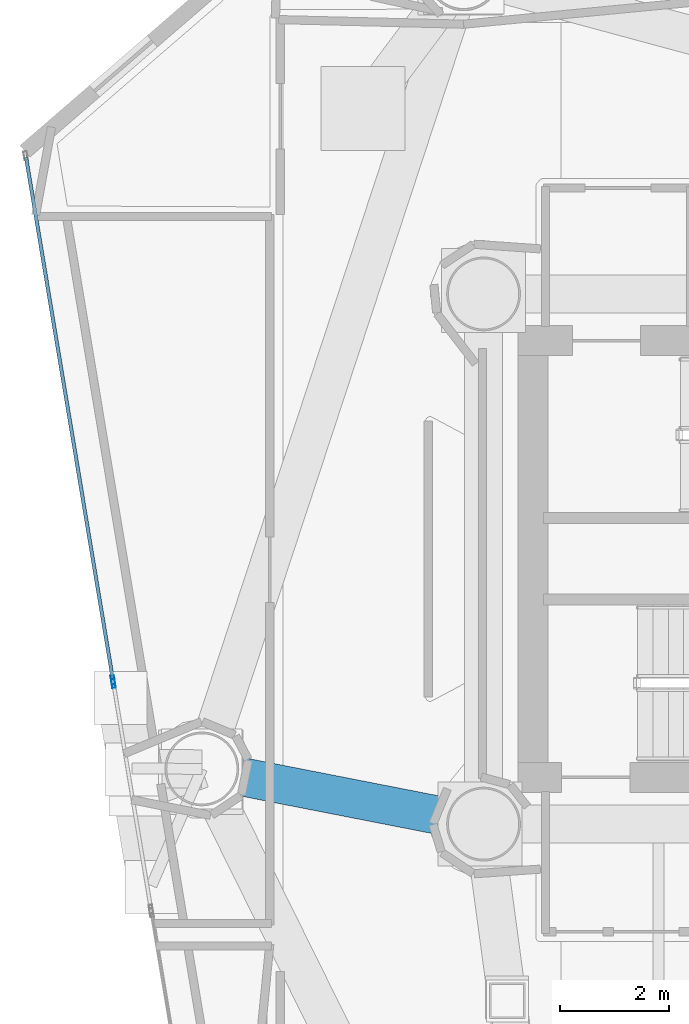
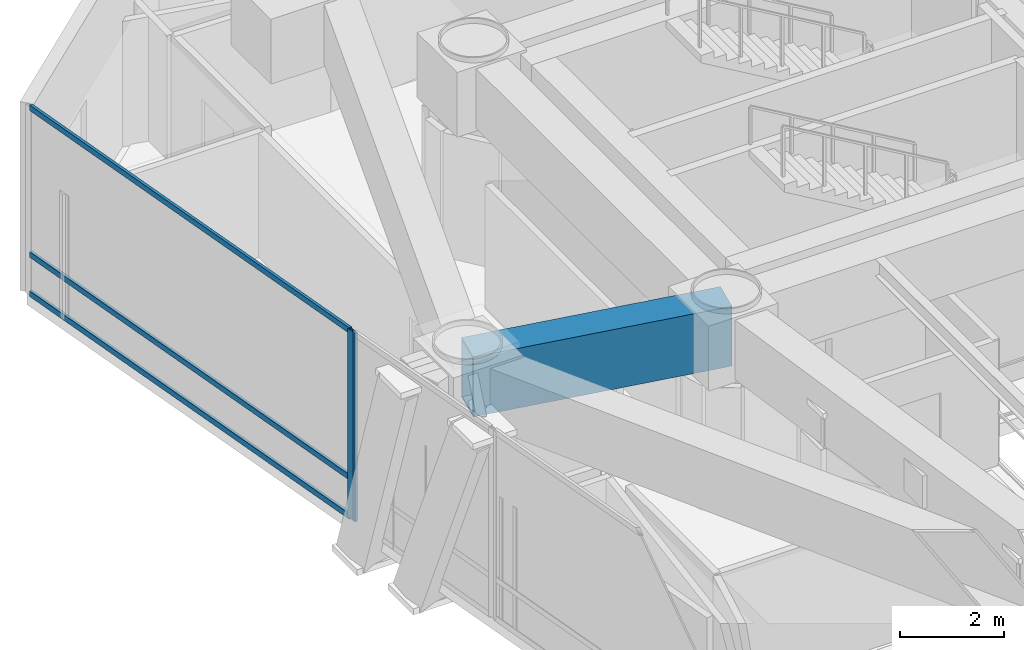
# One storey, part 8 of 22: 5 members, 1 beam, 2 elements without a shape of their own.
"""IFC4 building model written with IfcOpenShell, lengths in metres."""

from ifc_helpers import new_model, si_unit, direction, frame, origin, origin_2d, place, context, subcontext, project, spatial, hollow_rectangle, extrude, material, layer, layer_set, material_profile, profile_set, type_object, element, aggregate, save


model = new_model("IFC4")

# Units and contexts
model_context = context("Model", 3, precision=1e-05, world=origin(), true_north=direction((0.0, 1.0)))
body_context = subcontext(model_context, "Body", "Model", "MODEL_VIEW")
ifc_project = project(units=[si_unit("LENGTHUNIT", "METRE"), si_unit("AREAUNIT", "SQUARE_METRE"), si_unit("VOLUMEUNIT", "CUBIC_METRE"), si_unit("PLANEANGLEUNIT", "RADIAN"), si_unit("MASSUNIT", "GRAM", prefix="KILO")], contexts=[model_context])

# Site, building, storey
site_placement = place(None, origin())
site = spatial("IfcSite", under=ifc_project, at=site_placement, CompositionType="ELEMENT")
building_placement = place(site_placement, origin())
building = spatial("IfcBuilding", under=site, at=building_placement, Name="Qianvela Tower", CompositionType="ELEMENT")
storey_placement = place(building_placement, frame((0.0, 0.0, 184.60009765625)))
storey = spatial("IfcBuildingStorey", under=building, at=storey_placement, Name="L47", CompositionType="ELEMENT", Elevation=184.60009765625)

# Beam
ifc_material_1 = material(Name="Steel Q420GJC", Category="steel")
ifc_material_profile_1 = material_profile(ifc_material_1, hollow_rectangle(XDim=0.699951171875, YDim=1.39990234375, WallThickness=0.0400390625, at=origin_2d()), Name="TG-BOX-1400x700x40")
ifc_profile_set_1 = profile_set([ifc_material_profile_1], Name="Steel Q420GJC")
beam_type = type_object("IfcBeamType", Name="BM-TG-RAD-1400", PredefinedType="BEAM", material=ifc_profile_set_1)
beam_placement = place(storey_placement, frame((28.60009765625, 23.85009765625, 3.718017578125), z_axis=(-0.98137875074, 0.192082658238, 0.0), x_axis=(-0.192082658238, -0.98137875074, 0.0)))
element("IfcBeam", 1, at=beam_placement, inside=storey, type_object=beam_type, Name="L47 Radial Outrigger Top Transfer Girder 4", PredefinedType="BEAM", context=body_context, shape_type="SweptSolid", body=[
    extrude(hollow_rectangle(XDim=0.699951171875, YDim=1.39990234375, WallThickness=0.0400390625, at=origin_2d()), origin(), (0.0, 0.0, 1.0), 5.251953125),
])

# Curtain wall, member
ifc_material_2 = material(Name="Anodised Architectural Aluminium and Insulated Spandrel Panel", Category="aluminium")
ifc_layer_1 = layer(ifc_material_2, 0.179931640625)
ifc_layer_set_1 = layer_set([ifc_layer_1], Name="Anodised Architectural Aluminium and Insulated Spandrel Panel")
curtain_wall_type_1 = type_object("IfcCurtainWallType", Name="CW-BRACEBAY", PredefinedType="USERDEFINED", material=ifc_layer_set_1)
curtain_wall_1_placement = place(storey_placement, origin())
curtain_wall_1 = element("IfcCurtainWall", 2, at=curtain_wall_1_placement, inside=storey, type_object=curtain_wall_type_1, Name="L47 CW-BRACEBAY Curtain Wall 04B", ObjectType="CURTAIN_WALL_SYSTEM", PredefinedType="USERDEFINED")
ifc_material_3 = material(Name="Anodised Architectural Aluminium 6063-T6", Category="aluminium")
ifc_material_profile_2 = material_profile(ifc_material_3, hollow_rectangle(XDim=0.06494140625, YDim=0.159912109375, WallThickness=0.0048828125, at=origin_2d()), Name="ALU-MULL-65x160")
ifc_profile_set_2 = profile_set([ifc_material_profile_2], Name="Anodised Architectural Aluminium 6063-T6")
member_type_1 = type_object("IfcMemberType", Name="CW-BRACEBAY-MULL", PredefinedType="MULLION", material=ifc_profile_set_2)
member_1_placement = place(storey_placement, frame((21.829345703125, 26.42236328125, 0.0), z_axis=(0.0, 0.0, 1.0), x_axis=(0.986456807701, 0.164021238078, 0.0)))
member_1 = element("IfcMember", 3, at=member_1_placement, type_object=member_type_1, Name="CW-9 mullion 1", PredefinedType="MULLION", context=body_context, shape_type="SweptSolid", body=[
    extrude(hollow_rectangle(XDim=0.06494140625, YDim=0.159912109375, WallThickness=0.0048828125, at=origin_2d()), origin(), (0.0, 0.0, 1.0), 4.419921875),
])
aggregate(curtain_wall_1, [member_1])

# Curtain wall, members
ifc_material_4 = material(Name="Anodised Architectural Aluminium and Low-E Glass", Category="aluminium")
ifc_layer_2 = layer(ifc_material_4, 0.169921875)
ifc_layer_set_2 = layer_set([ifc_layer_2], Name="Anodised Architectural Aluminium and Low-E Glass")
curtain_wall_type_2 = type_object("IfcCurtainWallType", Name="CW-COLIV-Z34", PredefinedType="USERDEFINED", material=ifc_layer_set_2)
curtain_wall_2_placement = place(storey_placement, origin())
curtain_wall_2 = element("IfcCurtainWall", 4, at=curtain_wall_2_placement, inside=storey, type_object=curtain_wall_type_2, Name="L47 CW-COLIV-Z34 Curtain Wall 04A", ObjectType="CURTAIN_WALL_SYSTEM", PredefinedType="USERDEFINED")
ifc_material_5 = material(Name="Anodised Architectural Aluminium 6063-T6", Category="aluminium")
ifc_material_profile_3 = material_profile(ifc_material_5, hollow_rectangle(XDim=0.06494140625, YDim=0.159912109375, WallThickness=0.0048828125, at=origin_2d()), Name="ALU-MULL-65x160")
ifc_profile_set_3 = profile_set([ifc_material_profile_3], Name="Anodised Architectural Aluminium 6063-T6")
member_type_2 = type_object("IfcMemberType", Name="CW-COLIV-Z34-MULL", PredefinedType="MULLION", material=ifc_profile_set_3)
member_2_placement = place(storey_placement, frame((21.818603515625, 26.486572265625, 0.0), z_axis=(0.0, 0.0, 1.0), x_axis=(0.986457896832, 0.164014687691, 0.0)))
member_2 = element("IfcMember", 5, at=member_2_placement, type_object=member_type_2, Name="CW-4 mullion 2", PredefinedType="MULLION", context=body_context, shape_type="SweptSolid", body=[
    extrude(hollow_rectangle(XDim=0.06494140625, YDim=0.159912109375, WallThickness=0.0048828125, at=origin_2d()), origin(), (0.0, 0.0, 1.0), 4.419921875),
])
ifc_material_6 = material(Name="Anodised Architectural Aluminium 6063-T6", Category="aluminium")
ifc_material_profile_4 = material_profile(ifc_material_6, hollow_rectangle(XDim=0.06494140625, YDim=0.1298828125, WallThickness=0.00439453125, at=origin_2d()), Name="ALU-TRAN-65x130")
ifc_profile_set_4 = profile_set([ifc_material_profile_4], Name="Anodised Architectural Aluminium 6063-T6")
member_type_3 = type_object("IfcMemberType", Name="CW-COLIV-Z34-TRAN", PredefinedType="USERDEFINED", material=ifc_profile_set_4)
member_3_placement = place(storey_placement, frame((20.228759765625, 36.047607421875, 0.032470703125), z_axis=(0.164026018381, -0.986456012853, 0.0), x_axis=(0.986456012853, 0.164026018381, 0.0)))
member_3 = element("IfcMember", 6, at=member_3_placement, type_object=member_type_3, Name="CW-4 transom 1.1", ObjectType="TRANSOM", PredefinedType="USERDEFINED", context=body_context, shape_type="SweptSolid", body=[
    extrude(hollow_rectangle(XDim=0.06494140625, YDim=0.1298828125, WallThickness=0.00439453125, at=origin_2d()), origin(), (0.0, 0.0, 1.0), 9.659912109375),
])
member_4_placement = place(storey_placement, frame((20.228759765625, 36.047607421875, 0.949951171875), z_axis=(0.164026018381, -0.986456012853, 0.0), x_axis=(0.986456012853, 0.164026018381, 0.0)))
member_4 = element("IfcMember", 7, at=member_4_placement, type_object=member_type_3, Name="CW-4 transom 1.2", ObjectType="TRANSOM", PredefinedType="USERDEFINED", context=body_context, shape_type="SweptSolid", body=[
    extrude(hollow_rectangle(XDim=0.06494140625, YDim=0.1298828125, WallThickness=0.00439453125, at=origin_2d()), origin(), (0.0, 0.0, 1.0), 9.659912109375),
])
member_5_placement = place(storey_placement, frame((20.228759765625, 36.047607421875, 4.387451171875), z_axis=(0.164026018381, -0.986456012853, 0.0), x_axis=(0.986456012853, 0.164026018381, 0.0)))
member_5 = element("IfcMember", 8, at=member_5_placement, type_object=member_type_3, Name="CW-4 transom 1.3", ObjectType="TRANSOM", PredefinedType="USERDEFINED", context=body_context, shape_type="SweptSolid", body=[
    extrude(hollow_rectangle(XDim=0.06494140625, YDim=0.1298828125, WallThickness=0.00439453125, at=origin_2d()), origin(), (0.0, 0.0, 1.0), 9.659912109375),
])
aggregate(curtain_wall_2, [member_2, member_3, member_4, member_5])

save(model, "model.ifc")
